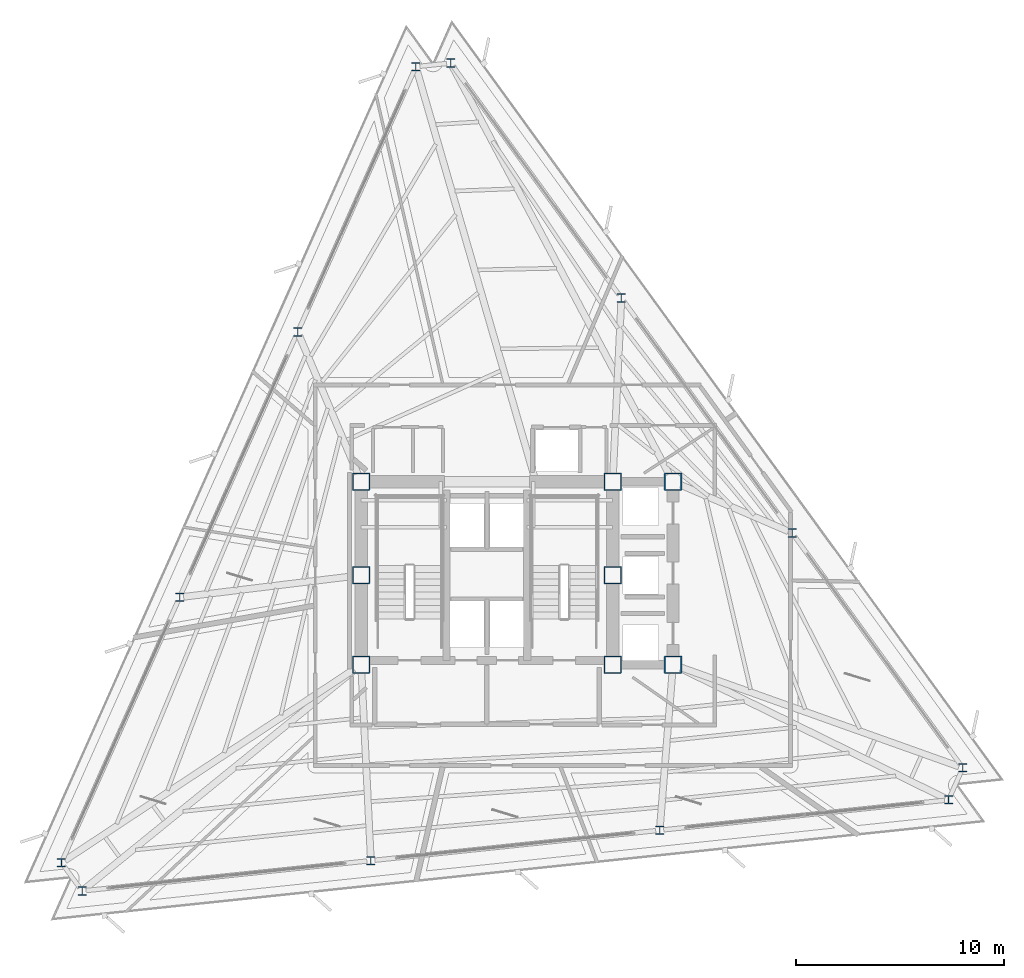
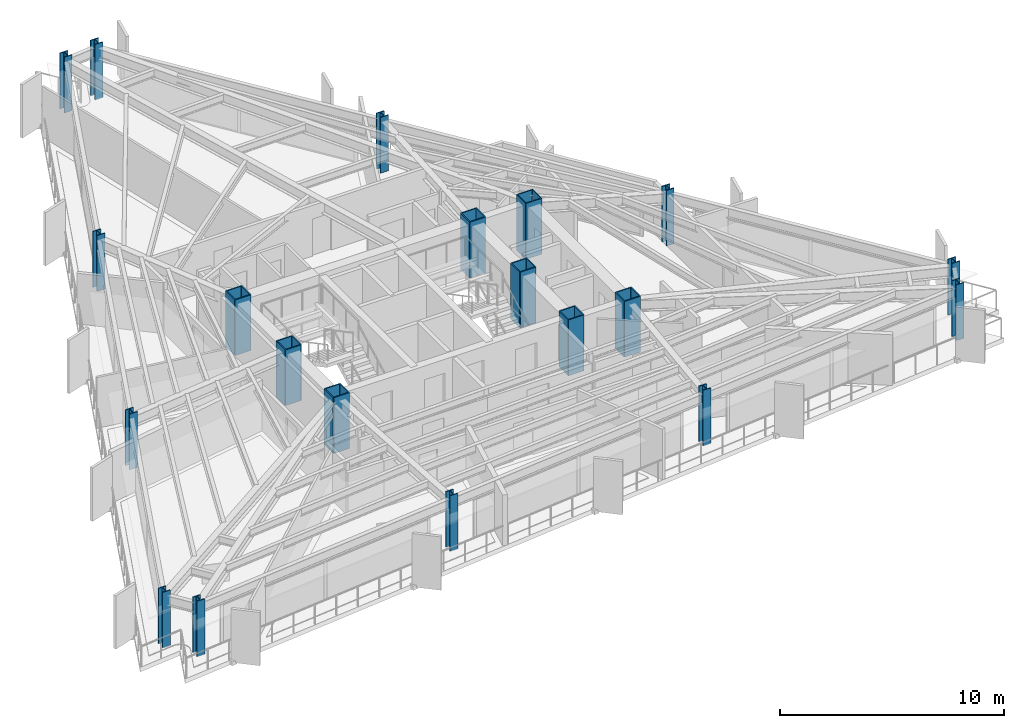
# One storey, part 1 of 12: 20 columns.
"""IFC4 building model written with IfcOpenShell, lengths in metres."""

import ifcopenshell
import ifcopenshell.guid

model = None  # the IFC model being written
_history = None  # IfcOwnerHistory: only IFC2X3 demands one
_inside = {}  # id of a spatial element -> (the spatial element, [elements in it])
_under = {}  # id of a project, library or spatial element -> (it, [spatial elements below it])
_declared = {}  # id of a project -> (the project, [libraries it declares])
_typed = {}  # id of a type object -> (the type object, [elements of that type])
_made_of = {}  # id of a material, layer set ... -> (it, [elements and type objects made of it])


def new_model(schema):
    """Start an empty IFC model of exactly this schema.

    Asked for "IFC4X3", IfcOpenShell would pick the latest addendum, in which some entities
    have other attributes; the version numbers below select the first issue.
    IFC2X3 requires an IfcOwnerHistory on every rooted entity: one is made here for all.
    """
    global model, _history
    if schema == "IFC4X3":
        model = ifcopenshell.file(schema_version=(4, 3, 0, 0))
    else:
        model = ifcopenshell.file(schema=schema)
    _inside.clear()
    _under.clear()
    _declared.clear()
    _typed.clear()
    _made_of.clear()
    _history = None
    if model.schema == "IFC2X3":
        org = make("IfcOrganization", Name="unknown")
        user = make(
            "IfcPersonAndOrganization",
            ThePerson=make("IfcPerson", FamilyName="unknown"),
            TheOrganization=org,
        )
        app = make(
            "IfcApplication",
            ApplicationDeveloper=org,
            Version="unknown",
            ApplicationFullName="unknown",
            ApplicationIdentifier="unknown",
        )
        _history = make(
            "IfcOwnerHistory",
            OwningUser=user,
            OwningApplication=app,
            ChangeAction="ADDED",
            CreationDate=0,
        )
    return model


def make(cls, **values):
    """One entity of the class cls with the attributes given. An attribute that is None is left unset."""
    return model.create_entity(
        cls, **{name: value for name, value in values.items() if value is not None}
    )


def rooted(cls, **values):
    """An entity with a GlobalId (a new one), such as an element, a storey or a relation."""
    return make(cls, GlobalId=ifcopenshell.guid.new(), OwnerHistory=_history, **values)


def si_unit(unit_type, name, prefix=None):
    """IfcSIUnit, for example si_unit("LENGTHUNIT", "METRE", prefix="MILLI")."""
    return make("IfcSIUnit", UnitType=unit_type, Prefix=prefix, Name=name)


def assignment(units):
    """IfcUnitAssignment: the units of a project."""
    return None if units is None else make("IfcUnitAssignment", Units=units)


def point(xyz):
    """IfcCartesianPoint."""
    return None if xyz is None else make("IfcCartesianPoint", Coordinates=xyz)


def direction(xyz):
    """IfcDirection."""
    return None if xyz is None else make("IfcDirection", DirectionRatios=xyz)


def frame(location, z_axis=None, x_axis=None):
    """IfcAxis2Placement3D, a coordinate frame: its origin and axes. An axis left out is left unset."""
    return make(
        "IfcAxis2Placement3D",
        Location=point(location),
        Axis=direction(z_axis),
        RefDirection=direction(x_axis),
    )


def frame_2d(location, x_axis=None):
    """IfcAxis2Placement2D, a coordinate frame in the plane: its origin and x axis."""
    return make(
        "IfcAxis2Placement2D", Location=point(location), RefDirection=direction(x_axis)
    )


def origin():
    """The frame at (0, 0, 0) with its axes left unset."""
    return frame((0.0, 0.0, 0.0))


def origin_2d():
    """The frame at (0, 0) in the plane with its x axis left unset."""
    return frame_2d((0.0, 0.0))


def place(relative_to, where):
    """IfcLocalPlacement: puts the frame where relative to a parent placement (None: the world)."""
    return make(
        "IfcLocalPlacement", PlacementRelTo=relative_to, RelativePlacement=where
    )


def context(
    kind, dimensions, precision=None, world=None, true_north=None, identifier=None
):
    """IfcGeometricRepresentationContext, for example the 3D "Model" context."""
    return make(
        "IfcGeometricRepresentationContext",
        ContextIdentifier=identifier,
        ContextType=kind,
        CoordinateSpaceDimension=dimensions,
        Precision=precision,
        WorldCoordinateSystem=world,
        TrueNorth=true_north,
    )


def subcontext(parent, identifier, kind, view, scale=None):
    """IfcGeometricRepresentationSubContext, for example "Body" below "Model"."""
    return make(
        "IfcGeometricRepresentationSubContext",
        ContextIdentifier=identifier,
        ContextType=kind,
        ParentContext=parent,
        TargetScale=scale,
        TargetView=view,
    )


def project(units=None, contexts=None):
    """IfcProject with its units and contexts."""
    return rooted(
        "IfcProject",
        Name="project",
        RepresentationContexts=contexts,
        UnitsInContext=assignment(units),
    )


def spatial(cls, under=None, at=None, **own):
    """A site, building, storey or space (cls), placed at a placement, below another one or the project."""
    s = rooted(cls, ObjectPlacement=at, **own)
    if under is not None:
        _under.setdefault(under.id(), (under, []))[1].append(s)
    return s


def profile(cls, at=None, kind="AREA", **sizes):
    """A parametric profile (cls). Its sizes go by their IFC names, for example OverallWidth=200.0."""
    return make(cls, ProfileType=kind, Position=at, **sizes)


def hollow_rectangle(**sizes):
    """IfcRectangleHollowProfileDef."""
    return profile("IfcRectangleHollowProfileDef", **sizes)


def i_section(**sizes):
    """IfcIShapeProfileDef."""
    return profile("IfcIShapeProfileDef", **sizes)


def extrude(swept, where, along, depth):
    """IfcExtrudedAreaSolid: the profile swept, set in the frame where, extruded along a direction by depth."""
    return make(
        "IfcExtrudedAreaSolid",
        SweptArea=swept,
        Position=where,
        ExtrudedDirection=direction(along),
        Depth=depth,
    )


def shape(context_of_items, identifier, shape_type, items):
    """IfcShapeRepresentation: the items that make up one representation, for example the "Body"."""
    return make(
        "IfcShapeRepresentation",
        ContextOfItems=context_of_items,
        RepresentationIdentifier=identifier,
        RepresentationType=shape_type,
        Items=items,
    )


def material(Name=None, Category=None):
    """IfcMaterial."""
    return make("IfcMaterial", Name=Name, Category=Category)


def material_profile(
    of_material, cross_section, Name=None, Category=None, Priority=None
):
    """IfcMaterialProfile: a cross section and its material."""
    return make(
        "IfcMaterialProfile",
        Name=Name,
        Material=of_material,
        Profile=cross_section,
        Priority=Priority,
        Category=Category,
    )


def profile_set(profiles, Name=None, composite=None):
    """IfcMaterialProfileSet."""
    return make(
        "IfcMaterialProfileSet",
        Name=Name,
        MaterialProfiles=profiles,
        CompositeProfile=composite,
    )


def made_of(thing, what):
    """Note that an element or type object is made of a material, layer set ...; save() writes the relation."""
    if what is not None:
        _made_of.setdefault(what.id(), (what, []))[1].append(thing)
    return thing


def type_object(cls, material=None, **own):
    """A type object (cls), such as IfcWallType, which elements share."""
    return made_of(rooted(cls, **own), material)


def element(
    cls,
    number,
    at=None,
    inside=None,
    cuts=None,
    type_object=None,
    material=None,
    context=None,
    identifier="Body",
    shape_type=None,
    held_by="IfcProductDefinitionShape",
    body=None,
    shapes=None,
    **own,
):
    """One element of the class cls, such as IfcWall. Its Tag is "e" and its number.

    at: its placement. inside: the storey or other place that contains it. cuts: it is an
    opening in that element (IfcRelVoidsElement). A single representation is given by context,
    identifier, shape_type and body (its items); several are given by shapes. held_by: the class
    of the entity that holds the representations. save() writes the other relations.
    """
    e = rooted(cls, Tag="e%d" % number, ObjectPlacement=at, **own)
    if body is not None:
        shapes = [shape(context, identifier, shape_type, body)]
    if shapes is not None:
        e.Representation = make(held_by, Representations=shapes)
    if inside is not None:
        _inside.setdefault(inside.id(), (inside, []))[1].append(e)
    if cuts is not None:
        rooted(
            "IfcRelVoidsElement", RelatingBuildingElement=cuts, RelatedOpeningElement=e
        )
    if type_object is not None:
        _typed.setdefault(type_object.id(), (type_object, []))[1].append(e)
    return made_of(e, material)


def aggregate(whole, parts):
    """IfcRelAggregates: a whole, such as a stair, and the parts it consists of."""
    return rooted("IfcRelAggregates", RelatingObject=whole, RelatedObjects=parts)


def save(model, path):
    """Write the relations noted so far, then the file.

    IfcRelAggregates (storeys below a building ...), IfcRelContainedInSpatialStructure (elements
    in a storey), IfcRelDefinesByType, IfcRelAssociatesMaterial and IfcRelDeclares: one each for
    every whole, place, type object, material and project.
    """
    for whole, parts in _under.values():
        aggregate(whole, parts)
    for where, things in _inside.values():
        rooted(
            "IfcRelContainedInSpatialStructure",
            RelatedElements=things,
            RelatingStructure=where,
        )
    for kind, things in _typed.values():
        rooted("IfcRelDefinesByType", RelatedObjects=things, RelatingType=kind)
    for what, things in _made_of.values():
        rooted("IfcRelAssociatesMaterial", RelatedObjects=things, RelatingMaterial=what)
    for by, libraries in _declared.values():
        rooted("IfcRelDeclares", RelatingContext=by, RelatedDefinitions=libraries)
    model.write(path)


model = new_model("IFC4")

# Units and contexts
model_context = context("Model", 3, precision=1e-05, world=origin(), true_north=direction((0.0, 1.0)))
body_context = subcontext(model_context, "Body", "Model", "MODEL_VIEW")
ifc_project = project(units=[si_unit("LENGTHUNIT", "METRE"), si_unit("AREAUNIT", "SQUARE_METRE"), si_unit("VOLUMEUNIT", "CUBIC_METRE"), si_unit("PLANEANGLEUNIT", "RADIAN"), si_unit("MASSUNIT", "GRAM", prefix="KILO")], contexts=[model_context])

# Site, building, storey
site_placement = place(None, origin())
site = spatial("IfcSite", under=ifc_project, at=site_placement, CompositionType="ELEMENT")
building_placement = place(site_placement, origin())
building = spatial("IfcBuilding", under=site, at=building_placement, Name="Rocaltana Carrier Exchange", CompositionType="ELEMENT")
storey_placement = place(building_placement, frame((0.0, 0.0, 116.800048828125)))
storey = spatial("IfcBuildingStorey", under=building, at=storey_placement, Name="L36", CompositionType="ELEMENT", Elevation=116.800048828125)

# Columns
ifc_material_1 = material(Name="Steel S460", Category="steel")
ifc_material_profile_1 = material_profile(ifc_material_1, hollow_rectangle(XDim=0.85009765625, YDim=0.85009765625, WallThickness=0.054931640625, InnerFilletRadius=0.02001953125, OuterFilletRadius=0.0400390625, at=origin_2d()), Name="BOX850X850X55")
ifc_profile_set_1 = profile_set([ifc_material_profile_1], Name="Steel S460")
column_type_1 = type_object("IfcColumnType", Name="Core Mega-Column BOX850", PredefinedType="COLUMN", material=ifc_profile_set_1)
for number, where, z_axis, x_axis, name in (
    (1, (-6.050048828125, 4.5, 0.0), (0.0, 0.0, 1.0), (1.0, 0.0, 0.0), "L36 Core Mega-Column MC1"),
    (2, (6.050048828125, 4.5, 0.0), (0.0, 0.0, 1.0), (1.0, 0.0, 0.0), "L36 Core Mega-Column MC2"),
    (3, (-6.050048828125, 0.0, 0.0), (0.0, 0.0, 1.0), (1.0, 0.0, 0.0), "L36 Core Mega-Column MC3"),
    (4, (6.050048828125, 0.0, 0.0), (0.0, 0.0, 1.0), (1.0, 0.0, 0.0), "L36 Core Mega-Column MC4"),
    (5, (-6.050048828125, -4.300048828125, 0.0), (0.0, 0.0, 1.0), (1.0, 0.0, 0.0), "L36 Core Mega-Column MC5"),
    (6, (6.050048828125, -4.300048828125, 0.0), (0.0, 0.0, 1.0), (1.0, 0.0, 0.0), "L36 Core Mega-Column MC6"),
    (7, (8.949951171875, 4.5, 0.0), (0.0, 0.0, 1.0), (1.0, 0.0, 0.0), "L36 East Core Column EC1"),
    (8, (8.949951171875, -4.300048828125, 0.0), (0.0, 0.0, 1.0), (1.0, 0.0, 0.0), "L36 East Core Column EC2"),
):
    element("IfcColumn", number, at=place(storey_placement, frame(where, z_axis=z_axis, x_axis=x_axis)), inside=storey, type_object=column_type_1, Name=name, PredefinedType="COLUMN", context=body_context, shape_type="SweptSolid", body=[
        extrude(hollow_rectangle(XDim=0.85009765625, YDim=0.85009765625, WallThickness=0.054931640625, InnerFilletRadius=0.02001953125, OuterFilletRadius=0.0400390625, at=origin_2d()), origin(), (0.0, 0.0, 1.0), 3.0400390625),
    ])
ifc_material_2 = material(Name="Steel S355", Category="steel")
ifc_material_profile_2 = material_profile(ifc_material_2, i_section(OverallWidth=0.406005859375, OverallDepth=0.416015625, WebThickness=0.02978515625, FlangeThickness=0.048095703125, FilletRadius=0.02001953125, at=origin_2d()), Name="W14X257")
ifc_profile_set_2 = profile_set([ifc_material_profile_2], Name="Steel S355")
column_type_2 = type_object("IfcColumnType", Name="Perimeter Column W14X257", PredefinedType="COLUMN", material=ifc_profile_set_2)
for number, where, z_axis, x_axis, name in (
    (9, (22.88671875, -9.267578125, 0.0), (0.0, 0.0, 1.0), (1.0, 0.0, 0.0), "L36 Perimeter Column TC01"),
    (10, (14.67724609375, 2.03173828125, 0.0), (0.0, 0.0, 1.0), (1.0, 0.0, 0.0), "L36 Perimeter Column TC02"),
    (11, (6.4677734375, 13.3310546875, 0.0), (0.0, 0.0, 1.0), (1.0, 0.0, 0.0), "L36 Perimeter Column TC03"),
    (12, (-1.74169921875, 24.63037109375, 0.0), (0.0, 0.0, 1.0), (1.0, 0.0, 0.0), "L36 Perimeter Column TC04"),
    (13, (-3.417236328125, 24.4541015625, 0.0), (0.0, 0.0, 1.0), (1.0, 0.0, 0.0), "L36 Perimeter Column TC05"),
    (14, (-9.09814453125, 11.69482421875, 0.0), (0.0, 0.0, 1.0), (1.0, 0.0, 0.0), "L36 Perimeter Column TC06"),
    (15, (-14.77880859375, -1.064208984375, 0.0), (0.0, 0.0, 1.0), (1.0, 0.0, 0.0), "L36 Perimeter Column TC07"),
    (16, (-20.459716796875, -13.823486328125, 0.0), (0.0, 0.0, 1.0), (1.0, 0.0, 0.0), "L36 Perimeter Column TC08"),
    (17, (-19.46923828125, -15.1865234375, 0.0), (0.0, 0.0, 1.0), (1.0, 0.0, 0.0), "L36 Perimeter Column TC09"),
    (18, (-5.5791015625, -13.726806640625, 0.0), (0.0, 0.0, 1.0), (1.0, 0.0, 0.0), "L36 Perimeter Column TC10"),
    (19, (8.31103515625, -12.2666015625, 0.0), (0.0, 0.0, 1.0), (1.0, 0.0, 0.0), "L36 Perimeter Column TC11"),
    (20, (22.201171875, -10.806884765625, 0.0), (0.0, 0.0, 1.0), (1.0, 0.0, 0.0), "L36 Perimeter Column TC12"),
):
    element("IfcColumn", number, at=place(storey_placement, frame(where, z_axis=z_axis, x_axis=x_axis)), inside=storey, type_object=column_type_2, Name=name, PredefinedType="COLUMN", context=body_context, shape_type="SweptSolid", body=[
        extrude(i_section(OverallWidth=0.406005859375, OverallDepth=0.416015625, WebThickness=0.02978515625, FlangeThickness=0.048095703125, FilletRadius=0.02001953125, at=origin_2d()), origin(), (0.0, 0.0, 1.0), 3.0400390625),
    ])

save(model, "model.ifc")
